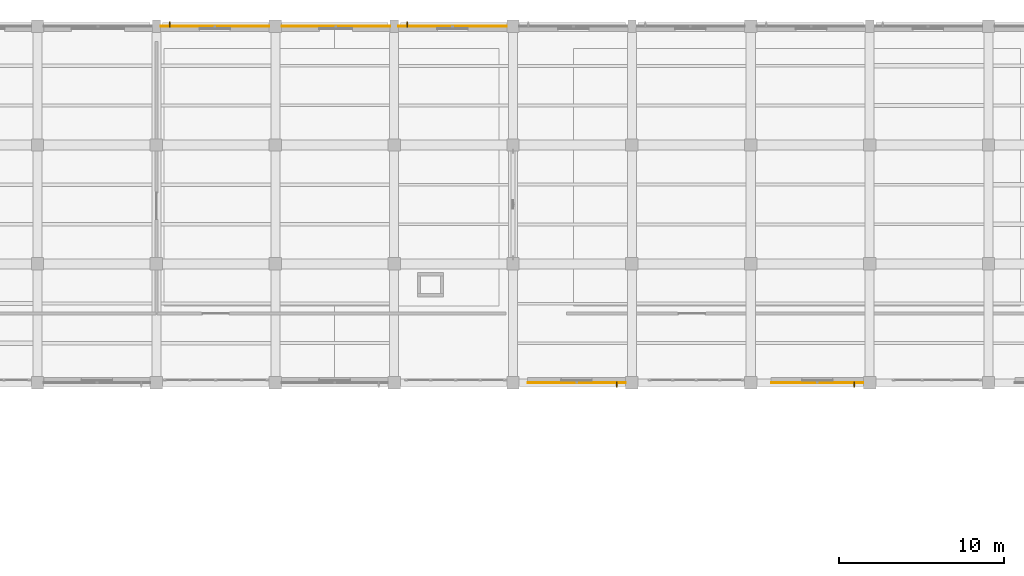
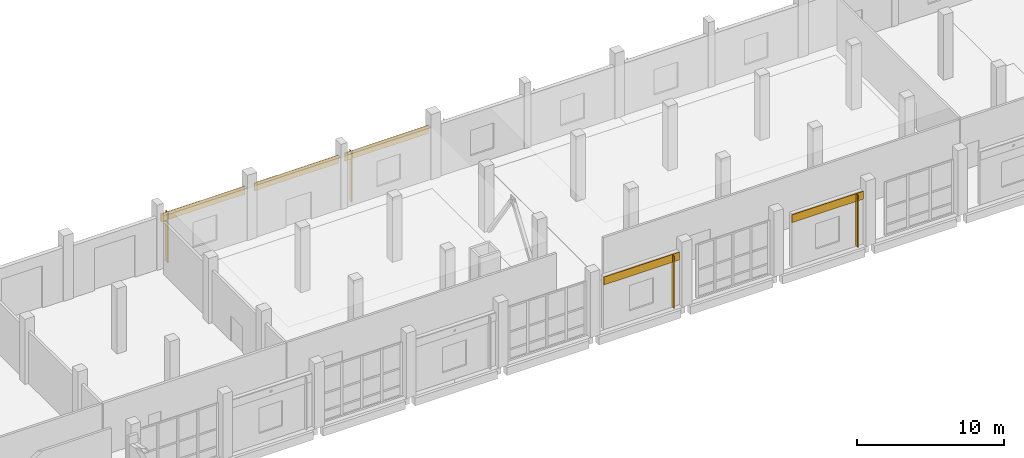
# One storey, part 129 of 137: 5 coverings, 4 shading devices.
"""IFC4 building model written with IfcOpenShell, lengths in metres."""

import ifcopenshell
import ifcopenshell.guid

model = None  # the IFC model being written
_history = None  # IfcOwnerHistory: only IFC2X3 demands one
_inside = {}  # id of a spatial element -> (the spatial element, [elements in it])
_under = {}  # id of a project, library or spatial element -> (it, [spatial elements below it])
_declared = {}  # id of a project -> (the project, [libraries it declares])
_typed = {}  # id of a type object -> (the type object, [elements of that type])
_made_of = {}  # id of a material, layer set ... -> (it, [elements and type objects made of it])


def new_model(schema):
    """Start an empty IFC model of exactly this schema.

    Asked for "IFC4X3", IfcOpenShell would pick the latest addendum, in which some entities
    have other attributes; the version numbers below select the first issue.
    IFC2X3 requires an IfcOwnerHistory on every rooted entity: one is made here for all.
    """
    global model, _history
    if schema == "IFC4X3":
        model = ifcopenshell.file(schema_version=(4, 3, 0, 0))
    else:
        model = ifcopenshell.file(schema=schema)
    _inside.clear()
    _under.clear()
    _declared.clear()
    _typed.clear()
    _made_of.clear()
    _history = None
    if model.schema == "IFC2X3":
        org = make("IfcOrganization", Name="unknown")
        user = make(
            "IfcPersonAndOrganization",
            ThePerson=make("IfcPerson", FamilyName="unknown"),
            TheOrganization=org,
        )
        app = make(
            "IfcApplication",
            ApplicationDeveloper=org,
            Version="unknown",
            ApplicationFullName="unknown",
            ApplicationIdentifier="unknown",
        )
        _history = make(
            "IfcOwnerHistory",
            OwningUser=user,
            OwningApplication=app,
            ChangeAction="ADDED",
            CreationDate=0,
        )
    return model


def make(cls, **values):
    """One entity of the class cls with the attributes given. An attribute that is None is left unset."""
    return model.create_entity(
        cls, **{name: value for name, value in values.items() if value is not None}
    )


def rooted(cls, **values):
    """An entity with a GlobalId (a new one), such as an element, a storey or a relation."""
    return make(cls, GlobalId=ifcopenshell.guid.new(), OwnerHistory=_history, **values)


def si_unit(unit_type, name, prefix=None):
    """IfcSIUnit, for example si_unit("LENGTHUNIT", "METRE", prefix="MILLI")."""
    return make("IfcSIUnit", UnitType=unit_type, Prefix=prefix, Name=name)


def assignment(units):
    """IfcUnitAssignment: the units of a project."""
    return None if units is None else make("IfcUnitAssignment", Units=units)


def point(xyz):
    """IfcCartesianPoint."""
    return None if xyz is None else make("IfcCartesianPoint", Coordinates=xyz)


def direction(xyz):
    """IfcDirection."""
    return None if xyz is None else make("IfcDirection", DirectionRatios=xyz)


def frame(location, z_axis=None, x_axis=None):
    """IfcAxis2Placement3D, a coordinate frame: its origin and axes. An axis left out is left unset."""
    return make(
        "IfcAxis2Placement3D",
        Location=point(location),
        Axis=direction(z_axis),
        RefDirection=direction(x_axis),
    )


def frame_2d(location, x_axis=None):
    """IfcAxis2Placement2D, a coordinate frame in the plane: its origin and x axis."""
    return make(
        "IfcAxis2Placement2D", Location=point(location), RefDirection=direction(x_axis)
    )


def origin():
    """The frame at (0, 0, 0) with its axes left unset."""
    return frame((0.0, 0.0, 0.0))


def origin_2d():
    """The frame at (0, 0) in the plane with its x axis left unset."""
    return frame_2d((0.0, 0.0))


def place(relative_to, where):
    """IfcLocalPlacement: puts the frame where relative to a parent placement (None: the world)."""
    return make(
        "IfcLocalPlacement", PlacementRelTo=relative_to, RelativePlacement=where
    )


def context(
    kind, dimensions, precision=None, world=None, true_north=None, identifier=None
):
    """IfcGeometricRepresentationContext, for example the 3D "Model" context."""
    return make(
        "IfcGeometricRepresentationContext",
        ContextIdentifier=identifier,
        ContextType=kind,
        CoordinateSpaceDimension=dimensions,
        Precision=precision,
        WorldCoordinateSystem=world,
        TrueNorth=true_north,
    )


def subcontext(parent, identifier, kind, view, scale=None):
    """IfcGeometricRepresentationSubContext, for example "Body" below "Model"."""
    return make(
        "IfcGeometricRepresentationSubContext",
        ContextIdentifier=identifier,
        ContextType=kind,
        ParentContext=parent,
        TargetScale=scale,
        TargetView=view,
    )


def project(units=None, contexts=None):
    """IfcProject with its units and contexts."""
    return rooted(
        "IfcProject",
        Name="project",
        RepresentationContexts=contexts,
        UnitsInContext=assignment(units),
    )


def spatial(cls, under=None, at=None, **own):
    """A site, building, storey or space (cls), placed at a placement, below another one or the project."""
    s = rooted(cls, ObjectPlacement=at, **own)
    if under is not None:
        _under.setdefault(under.id(), (under, []))[1].append(s)
    return s


def profile(cls, at=None, kind="AREA", **sizes):
    """A parametric profile (cls). Its sizes go by their IFC names, for example OverallWidth=200.0."""
    return make(cls, ProfileType=kind, Position=at, **sizes)


def rectangle(**sizes):
    """IfcRectangleProfileDef."""
    return profile("IfcRectangleProfileDef", **sizes)


def extrude(swept, where, along, depth):
    """IfcExtrudedAreaSolid: the profile swept, set in the frame where, extruded along a direction by depth."""
    return make(
        "IfcExtrudedAreaSolid",
        SweptArea=swept,
        Position=where,
        ExtrudedDirection=direction(along),
        Depth=depth,
    )


def shape(context_of_items, identifier, shape_type, items):
    """IfcShapeRepresentation: the items that make up one representation, for example the "Body"."""
    return make(
        "IfcShapeRepresentation",
        ContextOfItems=context_of_items,
        RepresentationIdentifier=identifier,
        RepresentationType=shape_type,
        Items=items,
    )


def material(Name=None, Category=None):
    """IfcMaterial."""
    return make("IfcMaterial", Name=Name, Category=Category)


def layer(
    of_material, thickness, ventilated=None, Name=None, Category=None, Priority=None
):
    """IfcMaterialLayer: one layer of a wall or slab, of a material (None: an air gap)."""
    return make(
        "IfcMaterialLayer",
        Material=of_material,
        LayerThickness=thickness,
        IsVentilated=ventilated,
        Name=Name,
        Category=Category,
        Priority=Priority,
    )


def layer_set(layers, Name=None):
    """IfcMaterialLayerSet."""
    return make("IfcMaterialLayerSet", MaterialLayers=layers, LayerSetName=Name)


def made_of(thing, what):
    """Note that an element or type object is made of a material, layer set ...; save() writes the relation."""
    if what is not None:
        _made_of.setdefault(what.id(), (what, []))[1].append(thing)
    return thing


def type_object(cls, material=None, **own):
    """A type object (cls), such as IfcWallType, which elements share."""
    return made_of(rooted(cls, **own), material)


def element(
    cls,
    number,
    at=None,
    inside=None,
    cuts=None,
    type_object=None,
    material=None,
    context=None,
    identifier="Body",
    shape_type=None,
    held_by="IfcProductDefinitionShape",
    body=None,
    shapes=None,
    **own,
):
    """One element of the class cls, such as IfcWall. Its Tag is "e" and its number.

    at: its placement. inside: the storey or other place that contains it. cuts: it is an
    opening in that element (IfcRelVoidsElement). A single representation is given by context,
    identifier, shape_type and body (its items); several are given by shapes. held_by: the class
    of the entity that holds the representations. save() writes the other relations.
    """
    e = rooted(cls, Tag="e%d" % number, ObjectPlacement=at, **own)
    if body is not None:
        shapes = [shape(context, identifier, shape_type, body)]
    if shapes is not None:
        e.Representation = make(held_by, Representations=shapes)
    if inside is not None:
        _inside.setdefault(inside.id(), (inside, []))[1].append(e)
    if cuts is not None:
        rooted(
            "IfcRelVoidsElement", RelatingBuildingElement=cuts, RelatedOpeningElement=e
        )
    if type_object is not None:
        _typed.setdefault(type_object.id(), (type_object, []))[1].append(e)
    return made_of(e, material)


def aggregate(whole, parts):
    """IfcRelAggregates: a whole, such as a stair, and the parts it consists of."""
    return rooted("IfcRelAggregates", RelatingObject=whole, RelatedObjects=parts)


def save(model, path):
    """Write the relations noted so far, then the file.

    IfcRelAggregates (storeys below a building ...), IfcRelContainedInSpatialStructure (elements
    in a storey), IfcRelDefinesByType, IfcRelAssociatesMaterial and IfcRelDeclares: one each for
    every whole, place, type object, material and project.
    """
    for whole, parts in _under.values():
        aggregate(whole, parts)
    for where, things in _inside.values():
        rooted(
            "IfcRelContainedInSpatialStructure",
            RelatedElements=things,
            RelatingStructure=where,
        )
    for kind, things in _typed.values():
        rooted("IfcRelDefinesByType", RelatedObjects=things, RelatingType=kind)
    for what, things in _made_of.values():
        rooted("IfcRelAssociatesMaterial", RelatedObjects=things, RelatingMaterial=what)
    for by, libraries in _declared.values():
        rooted("IfcRelDeclares", RelatingContext=by, RelatedDefinitions=libraries)
    model.write(path)


model = new_model("IFC4")

# Units and contexts
model_context = context("Model", 3, precision=1e-05, world=origin(), true_north=direction((0.0, 1.0)))
body_context = subcontext(model_context, "Body", "Model", "MODEL_VIEW")
ifc_project = project(units=[si_unit("LENGTHUNIT", "METRE"), si_unit("AREAUNIT", "SQUARE_METRE"), si_unit("VOLUMEUNIT", "CUBIC_METRE"), si_unit("PLANEANGLEUNIT", "RADIAN"), si_unit("MASSUNIT", "GRAM", prefix="KILO")], contexts=[model_context])

# Site, building, storey
site_placement = place(None, origin())
site = spatial("IfcSite", under=ifc_project, at=site_placement, CompositionType="ELEMENT")
building_placement = place(site_placement, origin())
building = spatial("IfcBuilding", under=site, at=building_placement, Name="Kalmorath City Hall", CompositionType="ELEMENT")
storey_placement = place(building_placement, origin())
storey = spatial("IfcBuildingStorey", under=building, at=storey_placement, Name="L00", CompositionType="ELEMENT", Elevation=0.0)

# Shading devices
ifc_material_1 = material(Name="Bronze anodised aluminium", Category="aluminium")
ifc_layer_1 = layer(ifc_material_1, 0.06005859375)
ifc_layer_set_1 = layer_set([ifc_layer_1], Name="Bronze anodised aluminium")
shading_device_type = type_object("IfcShadingDeviceType", Name="Bronze vertical solar fin 320", PredefinedType="USERDEFINED", material=ifc_layer_set_1)
for number, where, z_axis, x_axis, name in (
    (1, (44.0009765625, 115.300048828125, 0.050048828125), (0.0, 0.0, 1.0), (1.0, 0.0, 0.0), "L00 bronze solar fin #33"),
    (2, (58.40087890625, 115.300048828125, 0.050048828125), (0.0, 0.0, 1.0), (1.0, 0.0, 0.0), "L00 bronze solar fin #34"),
):
    element("IfcShadingDevice", number, at=place(storey_placement, frame(where, z_axis=z_axis, x_axis=x_axis)), inside=storey, type_object=shading_device_type, Name=name, ObjectType="FIN", PredefinedType="USERDEFINED", context=body_context, shape_type="SweptSolid", body=[
        extrude(rectangle(XDim=0.06005859375, YDim=0.320068359375, at=origin_2d()), origin(), (0.0, 0.0, 1.0), 4.2109375),
    ])
for number, where, z_axis, x_axis, name in (
    (3, (85.47412109375, 93.5, 0.050048828125), (0.0, 0.0, 1.0), (-1.0, 0.0, 0.0), "L00 bronze solar fin #73"),
    (4, (71.073974609375, 93.5, 0.050048828125), (0.0, 0.0, 1.0), (-1.0, 0.0, 0.0), "L00 bronze solar fin #74"),
):
    element("IfcShadingDevice", number, at=place(storey_placement, frame(where, z_axis=z_axis, x_axis=x_axis)), inside=storey, type_object=shading_device_type, Name=name, ObjectType="FIN", PredefinedType="USERDEFINED", context=body_context, shape_type="SweptSolid", body=[
        extrude(rectangle(XDim=0.06005859375, YDim=0.320068359375, at=origin_2d()), origin(), (0.0, 0.0, 1.0), 4.31103515625),
    ])

# Coverings
ifc_material_2 = material(Name="Volcanic basalt stone cladding", Category="masonry")
ifc_layer_2 = layer(ifc_material_2, 0.06005859375)
ifc_layer_set_2 = layer_set([ifc_layer_2], Name="Volcanic basalt stone cladding")
covering_type = type_object("IfcCoveringType", Name="Volcanic basalt stone rainscreen cladding", PredefinedType="CLADDING", material=ifc_layer_set_2)
for number, where, z_axis, x_axis, name in (
    (5, (46.737548828125, 115.205078125, 3.635986328125), (0.0, 0.0, 1.0), (1.0, 0.0, 0.0), "L00 basalt spandrel cladding #3"),
    (6, (54.0625, 115.205078125, 3.635986328125), (0.0, 0.0, 1.0), (1.0, 0.0, 0.0), "L00 basalt spandrel cladding #4"),
    (7, (61.137451171875, 115.205078125, 3.635986328125), (0.0, 0.0, 1.0), (1.0, 0.0, 0.0), "L00 basalt spandrel cladding #5"),
):
    element("IfcCovering", number, at=place(storey_placement, frame(where, z_axis=z_axis, x_axis=x_axis)), inside=storey, type_object=covering_type, Name=name, PredefinedType="CLADDING", context=body_context, shape_type="SweptSolid", body=[
        extrude(rectangle(XDim=6.572998046875, YDim=0.06005859375, at=origin_2d()), origin(), (0.0, 0.0, 1.0), 0.64990234375),
    ])
covering_1_placement = place(storey_placement, frame((83.231201171875, 93.594970703125, 3.736083984375), z_axis=(0.0, 0.0, 1.0), x_axis=(-1.0, 0.0, 0.0)))
element("IfcCovering", 8, at=covering_1_placement, inside=storey, type_object=covering_type, Name="L00 basalt spandrel cladding #16", PredefinedType="CLADDING", context=body_context, shape_type="SweptSolid", body=[
    extrude(rectangle(XDim=5.585693359375, YDim=0.06005859375, at=origin_2d()), origin(), (0.0, 0.0, 1.0), 0.64990234375),
])
covering_2_placement = place(storey_placement, frame((68.654296875, 93.594970703125, 3.736083984375), z_axis=(0.0, 0.0, 1.0), x_axis=(-1.0, 0.0, 0.0)))
element("IfcCovering", 9, at=covering_2_placement, inside=storey, type_object=covering_type, Name="L00 basalt spandrel cladding #17", PredefinedType="CLADDING", context=body_context, shape_type="SweptSolid", body=[
    extrude(rectangle(XDim=5.939453125, YDim=0.06005859375, at=origin_2d()), origin(), (0.0, 0.0, 1.0), 0.64990234375),
])

save(model, "model.ifc")
